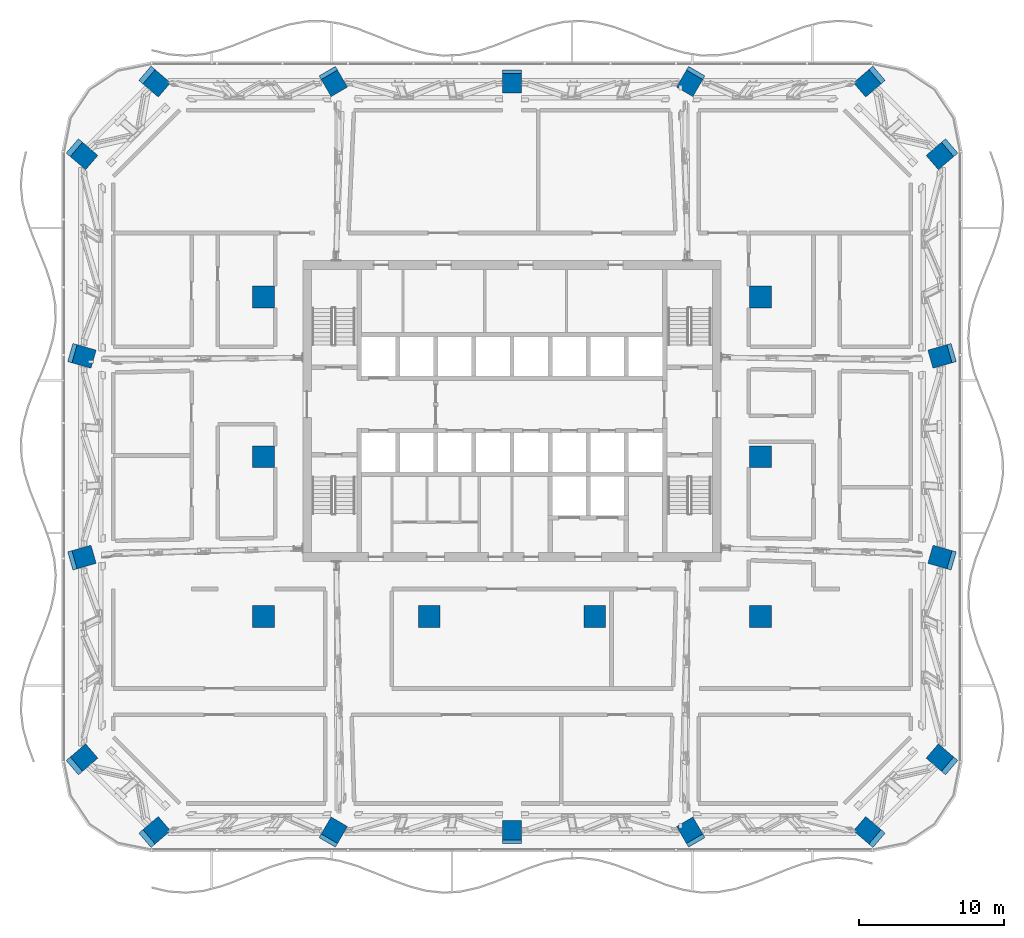
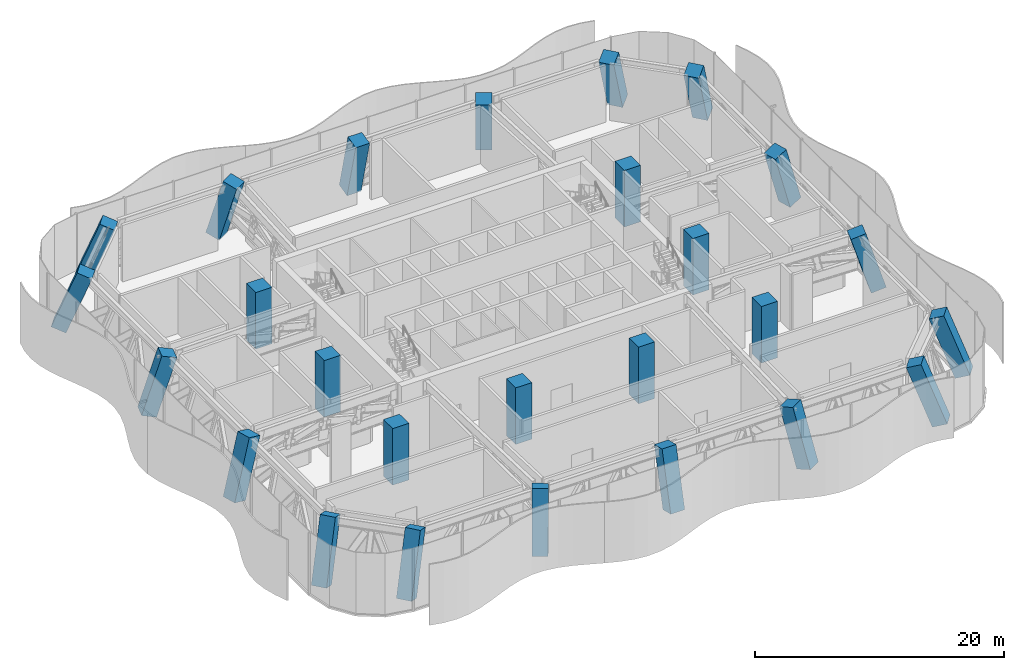
# One storey, part 1 of 32: 26 columns.
"""IFC4 building model written with IfcOpenShell, lengths in metres."""

from ifc_helpers import new_model, si_unit, direction, frame, origin, origin_2d, place, context, subcontext, project, spatial, rectangle, extrude, material, material_profile, profile_set, type_object, element, save


model = new_model("IFC4")

# Units and contexts
model_context = context("Model", 3, precision=1e-05, world=origin(), true_north=direction((0.0, 1.0)))
body_context = subcontext(model_context, "Body", "Model", "MODEL_VIEW")
ifc_project = project(units=[si_unit("LENGTHUNIT", "METRE"), si_unit("AREAUNIT", "SQUARE_METRE"), si_unit("VOLUMEUNIT", "CUBIC_METRE"), si_unit("PLANEANGLEUNIT", "RADIAN"), si_unit("MASSUNIT", "GRAM", prefix="KILO")], contexts=[model_context])

# Site, building, storey
site_placement = place(None, origin())
site = spatial("IfcSite", under=ifc_project, at=site_placement, CompositionType="ELEMENT")
building_placement = place(site_placement, origin())
building = spatial("IfcBuilding", under=site, at=building_placement, Name="Mopane Tessera Tower", CompositionType="ELEMENT")
storey_placement = place(building_placement, frame((0.0, 0.0, 88.60009765625)))
storey = spatial("IfcBuildingStorey", under=building, at=storey_placement, Name="L17", CompositionType="ELEMENT", Elevation=88.60009765625)

# Columns
ifc_material_1 = material(Name="Concrete C60/75", Category="concrete")
ifc_material_profile_1 = material_profile(ifc_material_1, rectangle(XDim=1.5, YDim=1.5, at=origin_2d()))
ifc_profile_set_1 = profile_set([ifc_material_profile_1], Name="Concrete C60/75")
column_type_1 = type_object("IfcColumnType", Name="Interior column 1500 x 1500 C60/75", PredefinedType="COLUMN", material=ifc_profile_set_1)
for number, where, z_axis, x_axis, name in (
    (1, (-17.10009765625, -11.0, 0.0), (0.0, 0.0, 1.0), (1.0, 0.0, 0.0), "Interior column I1A L17"),
    (2, (-17.10009765625, 0.0, 0.0), (0.0, 0.0, 1.0), (1.0, 0.0, 0.0), "Interior column I1B L17"),
    (3, (-17.10009765625, 11.0, 0.0), (0.0, 0.0, 1.0), (1.0, 0.0, 0.0), "Interior column I1C L17"),
    (4, (-5.699951171875, -11.0, 0.0), (0.0, 0.0, 1.0), (1.0, 0.0, 0.0), "Interior column I2A L17"),
    (5, (5.699951171875, -11.0, 0.0), (0.0, 0.0, 1.0), (1.0, 0.0, 0.0), "Interior column I3A L17"),
    (6, (17.10009765625, -11.0, 0.0), (0.0, 0.0, 1.0), (1.0, 0.0, 0.0), "Interior column I4A L17"),
    (7, (17.10009765625, 0.0, 0.0), (0.0, 0.0, 1.0), (1.0, 0.0, 0.0), "Interior column I4B L17"),
    (8, (17.10009765625, 11.0, 0.0), (0.0, 0.0, 1.0), (1.0, 0.0, 0.0), "Interior column I4C L17"),
):
    element("IfcColumn", number, at=place(storey_placement, frame(where, z_axis=z_axis, x_axis=x_axis)), inside=storey, type_object=column_type_1, Name=name, PredefinedType="COLUMN", context=body_context, shape_type="SweptSolid", body=[
        extrude(rectangle(XDim=1.5, YDim=1.5, at=origin_2d()), origin(), (0.0, 0.0, 1.0), 5.5498046875),
    ])
ifc_material_2 = material(Name="Concrete C60/75", Category="concrete")
ifc_material_profile_2 = material_profile(ifc_material_2, rectangle(XDim=1.300048828125, YDim=1.300048828125, at=origin_2d()))
ifc_profile_set_2 = profile_set([ifc_material_profile_2], Name="Concrete C60/75")
column_type_2 = type_object("IfcColumnType", Name="Ring column 1300 x 1300 C60/75", PredefinedType="COLUMN", material=ifc_profile_set_2)
column_1_placement = place(storey_placement, frame((-24.800048828125, -26.0, 0.0), z_axis=(0.272262107714, 0.233373387351, 0.933493549404), x_axis=(-0.650800804228, 0.759248518745, 0.0)))
element("IfcColumn", 9, at=column_1_placement, inside=storey, type_object=column_type_2, Name="Ring column S0 L17", PredefinedType="COLUMN", context=body_context, shape_type="SweptSolid", body=[
    extrude(rectangle(XDim=1.300048828125, YDim=1.300048828125, at=origin_2d()), origin(), (0.0, 0.0, 1.0), 5.9453125),
])
column_2_placement = place(storey_placement, frame((-12.39990234375, -26.0, 0.0), z_axis=(0.140080623394, 0.240144248189, 0.960576992756), x_axis=(-0.863784413599, 0.503861575062, 0.0)))
element("IfcColumn", 10, at=column_2_placement, inside=storey, type_object=column_type_2, Name="Ring column S1 L17", PredefinedType="COLUMN", context=body_context, shape_type="SweptSolid", body=[
    extrude(rectangle(XDim=1.300048828125, YDim=1.300048828125, at=origin_2d()), origin(), (0.0, 0.0, 1.0), 5.777587890625),
])
column_3_placement = place(storey_placement, frame((0.0, -26.0, 0.0), z_axis=(0.0, 0.242535625036, 0.970142500145), x_axis=(-1.0, 0.0, 0.0)))
element("IfcColumn", 11, at=column_3_placement, inside=storey, type_object=column_type_2, Name="Ring column S2 L17", PredefinedType="COLUMN", context=body_context, shape_type="SweptSolid", body=[
    extrude(rectangle(XDim=1.300048828125, YDim=1.300048828125, at=origin_2d()), origin(), (0.0, 0.0, 1.0), 5.720703125),
])
column_4_placement = place(storey_placement, frame((12.39990234375, -26.0, 0.0), z_axis=(-0.140080623394, 0.240144248189, 0.960576992756), x_axis=(-0.863784413599, -0.503861575062, 0.0)))
element("IfcColumn", 12, at=column_4_placement, inside=storey, type_object=column_type_2, Name="Ring column S3 L17", PredefinedType="COLUMN", context=body_context, shape_type="SweptSolid", body=[
    extrude(rectangle(XDim=1.300048828125, YDim=1.300048828125, at=origin_2d()), origin(), (0.0, 0.0, 1.0), 5.777587890625),
])
for number, where, z_axis, x_axis, name in (
    (13, (24.800048828125, -26.0, 0.0), (-0.272262107714, 0.233373387351, 0.933493549404), (-0.650800804228, -0.759248518745, 0.0), "Ring column S4 L17"),
    (14, (29.800048828125, -21.0, 0.0), (-0.272262107714, 0.233373387351, 0.933493549404), (-0.650800804228, -0.759248518745, 0.0), "Ring column E0 L17"),
):
    element("IfcColumn", number, at=place(storey_placement, frame(where, z_axis=z_axis, x_axis=x_axis)), inside=storey, type_object=column_type_2, Name=name, PredefinedType="COLUMN", context=body_context, shape_type="SweptSolid", body=[
        extrude(rectangle(XDim=1.300048828125, YDim=1.300048828125, at=origin_2d()), origin(), (0.0, 0.0, 1.0), 5.9453125),
    ])
for number, where, z_axis, x_axis, name in (
    (15, (29.800048828125, -7.0, 0.0), (-0.279102120707, 0.079731435388, 0.956945612053), (-0.274682818426, -0.961534892379, 0.0), "Ring column E1 L17"),
    (16, (29.800048828125, 7.0, 0.0), (-0.279102120707, -0.079731435388, 0.956945612053), (0.274682818426, -0.961534892379, 0.0), "Ring column E2 L17"),
):
    element("IfcColumn", number, at=place(storey_placement, frame(where, z_axis=z_axis, x_axis=x_axis)), inside=storey, type_object=column_type_2, Name=name, PredefinedType="COLUMN", context=body_context, shape_type="SweptSolid", body=[
        extrude(rectangle(XDim=1.300048828125, YDim=1.300048828125, at=origin_2d()), origin(), (0.0, 0.0, 1.0), 5.799560546875),
    ])
for number, where, z_axis, x_axis, name in (
    (17, (29.800048828125, 21.0, 0.0), (-0.272262107714, -0.233373387351, 0.933493549404), (0.650800804228, -0.759248518745, 0.0), "Ring column E3 L17"),
    (18, (24.800048828125, 26.0, 0.0), (-0.272262107714, -0.233373387351, 0.933493549404), (0.650800804228, -0.759248518745, 0.0), "Ring column N0 L17"),
):
    element("IfcColumn", number, at=place(storey_placement, frame(where, z_axis=z_axis, x_axis=x_axis)), inside=storey, type_object=column_type_2, Name=name, PredefinedType="COLUMN", context=body_context, shape_type="SweptSolid", body=[
        extrude(rectangle(XDim=1.300048828125, YDim=1.300048828125, at=origin_2d()), origin(), (0.0, 0.0, 1.0), 5.9453125),
    ])
column_5_placement = place(storey_placement, frame((12.39990234375, 26.0, 0.0), z_axis=(-0.140080623394, -0.240144248189, 0.960576992756), x_axis=(0.863784413599, -0.503861575062, 0.0)))
element("IfcColumn", 19, at=column_5_placement, inside=storey, type_object=column_type_2, Name="Ring column N1 L17", PredefinedType="COLUMN", context=body_context, shape_type="SweptSolid", body=[
    extrude(rectangle(XDim=1.300048828125, YDim=1.300048828125, at=origin_2d()), origin(), (0.0, 0.0, 1.0), 5.777587890625),
])
column_6_placement = place(storey_placement, frame((0.0, 26.0, 0.0), z_axis=(0.0, -0.242535625036, 0.970142500145), x_axis=(1.0, 0.0, 0.0)))
element("IfcColumn", 20, at=column_6_placement, inside=storey, type_object=column_type_2, Name="Ring column N2 L17", PredefinedType="COLUMN", context=body_context, shape_type="SweptSolid", body=[
    extrude(rectangle(XDim=1.300048828125, YDim=1.300048828125, at=origin_2d()), origin(), (0.0, 0.0, 1.0), 5.720703125),
])
column_7_placement = place(storey_placement, frame((-12.39990234375, 26.0, 0.0), z_axis=(0.140080623394, -0.240144248189, 0.960576992756), x_axis=(0.863784413599, 0.503861575062, 0.0)))
element("IfcColumn", 21, at=column_7_placement, inside=storey, type_object=column_type_2, Name="Ring column N3 L17", PredefinedType="COLUMN", context=body_context, shape_type="SweptSolid", body=[
    extrude(rectangle(XDim=1.300048828125, YDim=1.300048828125, at=origin_2d()), origin(), (0.0, 0.0, 1.0), 5.777587890625),
])
for number, where, z_axis, x_axis, name in (
    (22, (-24.800048828125, 26.0, 0.0), (0.272262107714, -0.233373387351, 0.933493549404), (0.650800804228, 0.759248518745, 0.0), "Ring column N4 L17"),
    (23, (-29.800048828125, 21.0, 0.0), (0.272262107714, -0.233373387351, 0.933493549404), (0.650800804228, 0.759248518745, 0.0), "Ring column W0 L17"),
):
    element("IfcColumn", number, at=place(storey_placement, frame(where, z_axis=z_axis, x_axis=x_axis)), inside=storey, type_object=column_type_2, Name=name, PredefinedType="COLUMN", context=body_context, shape_type="SweptSolid", body=[
        extrude(rectangle(XDim=1.300048828125, YDim=1.300048828125, at=origin_2d()), origin(), (0.0, 0.0, 1.0), 5.9453125),
    ])
for number, where, z_axis, x_axis, name in (
    (24, (-29.800048828125, 7.0, 0.0), (0.279102120707, -0.079731435388, 0.956945612053), (0.274682818426, 0.961534892379, 0.0), "Ring column W1 L17"),
    (25, (-29.800048828125, -7.0, 0.0), (0.279102120707, 0.079731435388, 0.956945612053), (-0.274682818426, 0.961534892379, 0.0), "Ring column W2 L17"),
):
    element("IfcColumn", number, at=place(storey_placement, frame(where, z_axis=z_axis, x_axis=x_axis)), inside=storey, type_object=column_type_2, Name=name, PredefinedType="COLUMN", context=body_context, shape_type="SweptSolid", body=[
        extrude(rectangle(XDim=1.300048828125, YDim=1.300048828125, at=origin_2d()), origin(), (0.0, 0.0, 1.0), 5.799560546875),
    ])
column_8_placement = place(storey_placement, frame((-29.800048828125, -21.0, 0.0), z_axis=(0.272262107714, 0.233373387351, 0.933493549404), x_axis=(-0.650800804228, 0.759248518745, 0.0)))
element("IfcColumn", 26, at=column_8_placement, inside=storey, type_object=column_type_2, Name="Ring column W3 L17", PredefinedType="COLUMN", context=body_context, shape_type="SweptSolid", body=[
    extrude(rectangle(XDim=1.300048828125, YDim=1.300048828125, at=origin_2d()), origin(), (0.0, 0.0, 1.0), 5.9453125),
])

save(model, "model.ifc")
